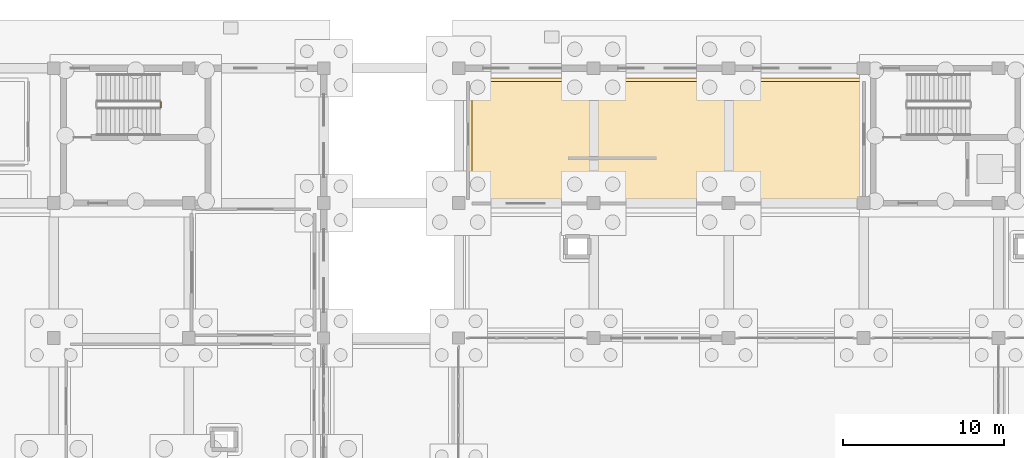
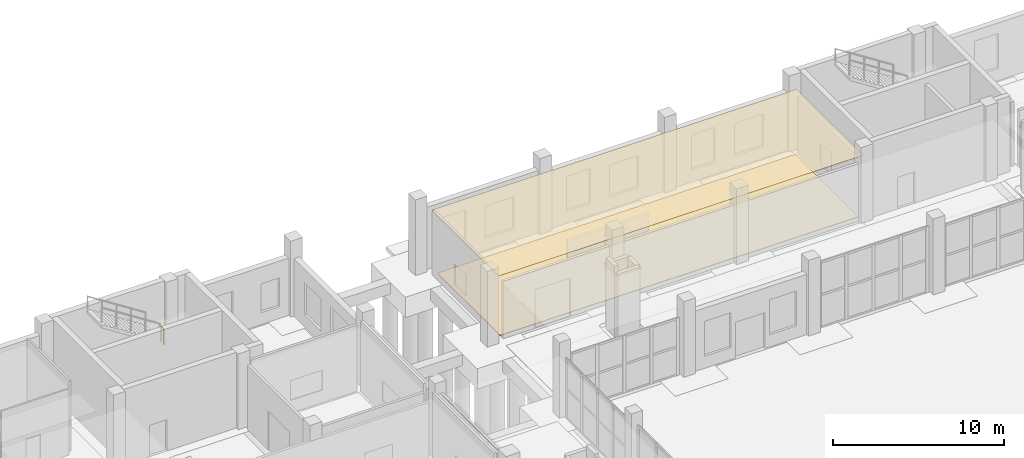
# One storey, part 57 of 65: 2 coverings, 1 railing.
"""IFC4 building model written with IfcOpenShell, lengths in metres."""

from ifc_helpers import new_model, si_unit, direction, frame, origin, origin_2d, place, context, subcontext, project, spatial, polyline, circle, outline, extrude, material, layer, layer_set, type_object, element, save


model = new_model("IFC4")

# Units and contexts
model_context = context("Model", 3, precision=1e-05, world=origin(), true_north=direction((0.0, 1.0)))
body_context = subcontext(model_context, "Body", "Model", "MODEL_VIEW")
ifc_project = project(units=[si_unit("LENGTHUNIT", "METRE"), si_unit("AREAUNIT", "SQUARE_METRE"), si_unit("VOLUMEUNIT", "CUBIC_METRE"), si_unit("PLANEANGLEUNIT", "RADIAN"), si_unit("MASSUNIT", "GRAM", prefix="KILO")], contexts=[model_context])

# Site, building, storey
site_placement = place(None, origin())
site = spatial("IfcSite", under=ifc_project, at=site_placement, CompositionType="ELEMENT")
building_placement = place(site_placement, origin())
building = spatial("IfcBuilding", under=site, at=building_placement, Name="Zulmaris Art Gallery", CompositionType="ELEMENT")
storey_placement = place(building_placement, origin())
storey = spatial("IfcBuildingStorey", under=building, at=storey_placement, Name="L00", CompositionType="ELEMENT", Elevation=0.0)

# Coverings
ifc_material_1 = material(Name="Luminous UV-Diffusing Stretched Gallery Ceiling", Category="gypsum")
ifc_layer_1 = layer(ifc_material_1, 0.034912109375)
ifc_layer_set_1 = layer_set([ifc_layer_1], Name="Luminous UV-Diffusing Stretched Gallery Ceiling")
covering_type_1 = type_object("IfcCoveringType", Name="COV-CL02", PredefinedType="CEILING", material=ifc_layer_set_1)
covering_1_placement = place(storey_placement, frame((0.0, 0.0, 4.449951171875)))
element("IfcCovering", 1, at=covering_1_placement, inside=storey, type_object=covering_type_1, Name="Arabian Peninsula Sculpture Gallery acoustic ceiling", PredefinedType="CEILING", context=body_context, shape_type="SweptSolid", body=[
    extrude(outline(polyline([(91.81005859375, 74.989990234375), (116.389892578125, 74.989990234375), (116.389892578125, 67.2099609375), (91.81005859375, 67.2099609375), (91.81005859375, 74.989990234375)])), origin(), (0.0, 0.0, 1.0), 0.030029296875),
])
ifc_material_2 = material(Name="Oiled European Oak Gallery Parquet Flooring", Category="timber")
ifc_layer_2 = layer(ifc_material_2, 0.030029296875)
ifc_layer_set_2 = layer_set([ifc_layer_2], Name="Oiled European Oak Gallery Parquet Flooring")
covering_type_2 = type_object("IfcCoveringType", Name="COV-FL02", PredefinedType="FLOORING", material=ifc_layer_set_2)
covering_2_placement = place(storey_placement, origin())
element("IfcCovering", 2, at=covering_2_placement, inside=storey, type_object=covering_type_2, Name="Arabian Peninsula Sculpture Gallery finish flooring", PredefinedType="FLOORING", context=body_context, shape_type="SweptSolid", body=[
    extrude(outline(polyline([(116.169921875, 67.429931640625), (92.030029296875, 67.429931640625), (92.030029296875, 74.77001953125), (116.169921875, 74.77001953125), (116.169921875, 67.429931640625)])), origin(), (0.0, 0.0, 1.0), 0.034912109375),
])

# Railing
ifc_material_3 = material(Name="Steel S355J2", Category="steel")
ifc_layer_3 = layer(ifc_material_3, 0.050048828125)
ifc_layer_set_3 = layer_set([ifc_layer_3], Name="Steel S355J2")
railing_type = type_object("IfcRailingType", Name="RAIL-STGRD", PredefinedType="GUARDRAIL", material=ifc_layer_set_3)
railing_placement = place(storey_placement, frame((72.669921875, 73.159912109375, 2.699951171875)))
element("IfcRailing", 3, at=railing_placement, inside=storey, type_object=railing_type, Name="L00 ST7 stair guard 2", PredefinedType="GUARDRAIL", context=body_context, shape_type="SweptSolid", body=[
    extrude(circle(Radius=0.02392578125, at=origin_2d()), frame((0.0, 0.0, 1.076171875), z_axis=(0.0, 1.0, 0.0), x_axis=(-1.0, 0.0, 0.0)), (0.0, 0.0, 1.0), 0.340087890625),
    extrude(circle(Radius=0.02099609375, at=origin_2d()), origin(), (0.0, 0.0, 1.0), 1.052001953125),
    extrude(circle(Radius=0.02099609375, at=origin_2d()), frame((0.0, 0.340087890625, 0.0)), (0.0, 0.0, 1.0), 1.052001953125),
])

save(model, "model.ifc")
